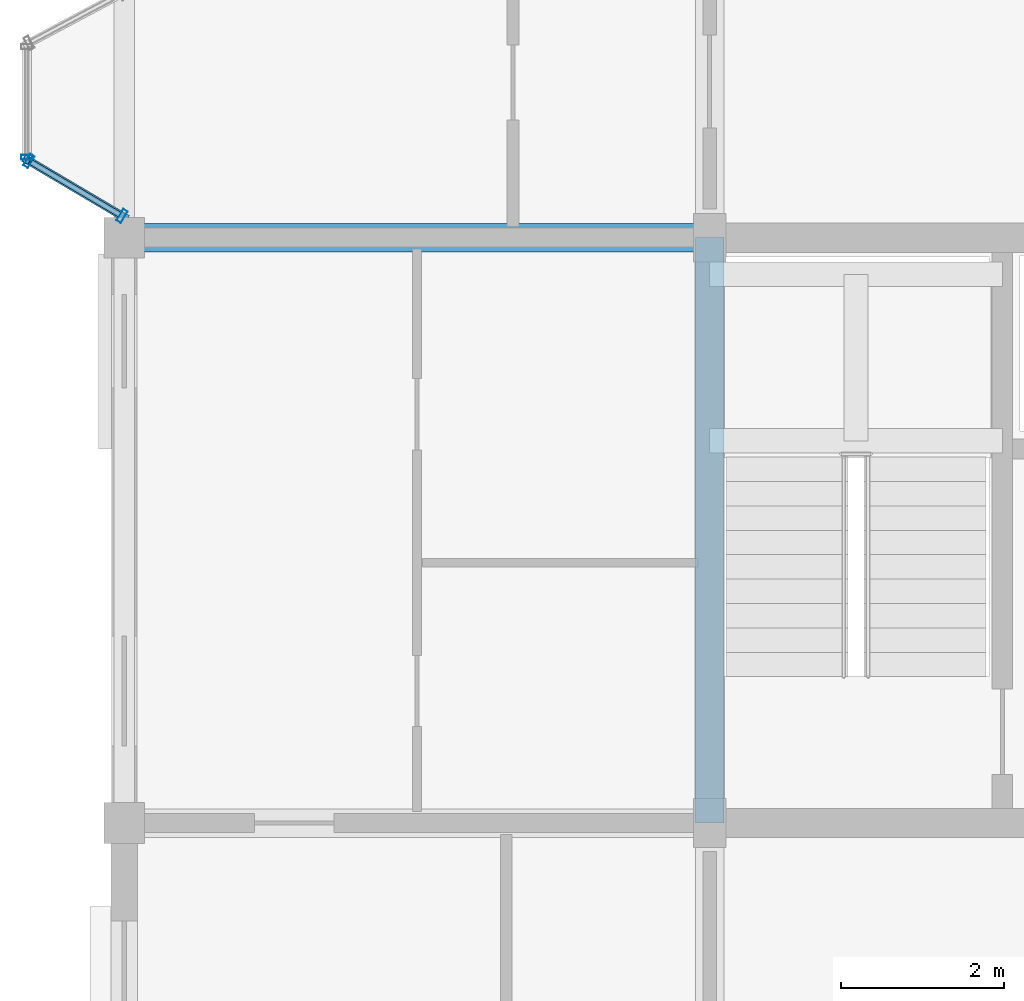
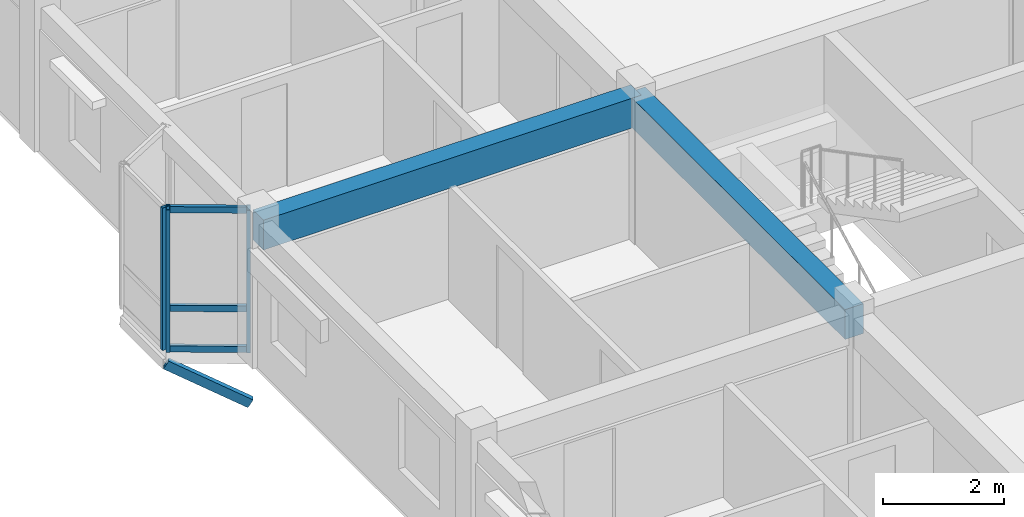
# One storey, part 5 of 70: 7 members, 2 beams, 2 elements without a shape of their own.
"""IFC4 building model written with IfcOpenShell, lengths in metres."""

from ifc_helpers import new_model, si_unit, direction, frame, origin, origin_2d, place, context, subcontext, project, spatial, rectangle, hollow_rectangle, extrude, material, layer, layer_set, material_profile, profile_set, type_object, element, aggregate, save


model = new_model("IFC4")

# Units and contexts
model_context = context("Model", 3, precision=1e-05, world=origin(), true_north=direction((0.0, 1.0)))
body_context = subcontext(model_context, "Body", "Model", "MODEL_VIEW")
ifc_project = project(units=[si_unit("LENGTHUNIT", "METRE"), si_unit("AREAUNIT", "SQUARE_METRE"), si_unit("VOLUMEUNIT", "CUBIC_METRE"), si_unit("PLANEANGLEUNIT", "RADIAN"), si_unit("MASSUNIT", "GRAM", prefix="KILO"), si_unit("THERMODYNAMICTEMPERATUREUNIT", "KELVIN"), si_unit("POWERUNIT", "WATT")], contexts=[model_context])

# Site, building, storey
site_placement = place(None, origin())
site = spatial("IfcSite", under=ifc_project, at=site_placement, CompositionType="ELEMENT")
building_placement = place(site_placement, origin())
building = spatial("IfcBuilding", under=site, at=building_placement, Name="Tavuni Mirador Residences", CompositionType="ELEMENT")
storey_placement = place(building_placement, frame((0.0, 0.0, 23.39990234375)))
storey = spatial("IfcBuildingStorey", under=building, at=storey_placement, Name="L07", CompositionType="ELEMENT", Elevation=23.39990234375)

# Beams
ifc_material_1 = material(Name="Precast concrete C40/50", Category="concrete")
ifc_material_profile_1 = material_profile(ifc_material_1, rectangle(XDim=0.35009765625, YDim=0.60009765625, at=origin_2d()), Name="PC 350x600", Category="concrete")
ifc_profile_set_1 = profile_set([ifc_material_profile_1], Name="Precast concrete C40/50")
beam_type = type_object("IfcBeamType", Name="BT-B600", PredefinedType="BEAM", material=ifc_profile_set_1)
beam_1_placement = place(storey_placement, frame((3.60009765625, 21.60009765625, 2.570068359375), z_axis=(1.0, 0.0, 0.0), x_axis=(0.0, 1.0, 0.0)))
element("IfcBeam", 1, at=beam_1_placement, inside=storey, type_object=beam_type, Name="BMX-BLK-A-L07-00-02", PredefinedType="BEAM", context=body_context, shape_type="SweptSolid", body=[
    extrude(rectangle(XDim=0.35009765625, YDim=0.60009765625, at=origin_2d()), origin(), (0.0, 0.0, 1.0), 7.199951171875),
])
beam_2_placement = place(storey_placement, frame((10.800048828125, 14.39990234375, 2.570068359375), z_axis=(0.0, 1.0, 0.0), x_axis=(-1.0, 0.0, 0.0)))
element("IfcBeam", 2, at=beam_2_placement, inside=storey, type_object=beam_type, Name="BMY-BLK-A-L07-01-01", PredefinedType="BEAM", context=body_context, shape_type="SweptSolid", body=[
    extrude(rectangle(XDim=0.35009765625, YDim=0.60009765625, at=origin_2d()), origin(), (0.0, 0.0, 1.0), 7.2001953125),
])

# Curtain wall, member
ifc_material_2 = material(Name="Anodised aluminium", Category="aluminium")
ifc_layer_1 = layer(ifc_material_2, 0.1650390625, Name="Anodised aluminium", Category="aluminium")
ifc_layer_set_1 = layer_set([ifc_layer_1], Name="Anodised aluminium")
curtain_wall_type_1 = type_object("IfcCurtainWallType", Name="CWT-MIR-A", PredefinedType="NOTDEFINED", material=ifc_layer_set_1)
curtain_wall_1_placement = place(storey_placement, origin())
curtain_wall_1 = element("IfcCurtainWall", 3, at=curtain_wall_1_placement, inside=storey, type_object=curtain_wall_type_1, Name="CW-MIR-A-W2-L07-MF", PredefinedType="NOTDEFINED")
ifc_material_profile_2 = material_profile(ifc_material_2, hollow_rectangle(XDim=0.06005859375, YDim=0.139892578125, WallThickness=0.00390625, at=origin_2d()), Name="ALU 60x140x4.0", Category="aluminium")
ifc_profile_set_2 = profile_set([ifc_material_profile_2], Name="Anodised aluminium")
member_type_1 = type_object("IfcMemberType", Name="CWM-140", PredefinedType="MULLION", material=ifc_profile_set_2)
member_1_placement = place(storey_placement, frame((2.39990234375, 22.590087890625, 0.0), z_axis=(0.0, 0.0, 1.0), x_axis=(0.0, -1.0, 0.0)))
member_1 = element("IfcMember", 4, at=member_1_placement, type_object=member_type_1, Name="CW-01 mullion 2", PredefinedType="MULLION", context=body_context, shape_type="SweptSolid", body=[
    extrude(hollow_rectangle(XDim=0.06005859375, YDim=0.139892578125, WallThickness=0.00390625, at=origin_2d()), origin(), (0.0, 0.0, 1.0), 2.8701171875),
])
aggregate(curtain_wall_1, [member_1])

# Curtain wall, members
ifc_layer_2 = layer(ifc_material_2, 0.14990234375, Name="Anodised aluminium", Category="aluminium")
ifc_layer_set_2 = layer_set([ifc_layer_2], Name="Anodised aluminium")
curtain_wall_type_2 = type_object("IfcCurtainWallType", Name="CWT-MIR-B", PredefinedType="NOTDEFINED", material=ifc_layer_set_2)
curtain_wall_2_placement = place(storey_placement, origin())
curtain_wall_2 = element("IfcCurtainWall", 5, at=curtain_wall_2_placement, inside=storey, type_object=curtain_wall_type_2, Name="CW-MIR-A-W2-L07-M2", PredefinedType="NOTDEFINED")
ifc_material_profile_3 = material_profile(ifc_material_2, hollow_rectangle(XDim=0.06494140625, YDim=0.1650390625, WallThickness=0.00439453125, at=origin_2d()), Name="ALU 65x165x4.5", Category="aluminium")
ifc_profile_set_3 = profile_set([ifc_material_profile_3], Name="Anodised aluminium")
member_type_2 = type_object("IfcMemberType", Name="CWM-165", PredefinedType="MULLION", material=ifc_profile_set_3)
member_2_placement = place(storey_placement, frame((2.427978515625, 22.54345703125, 0.0), z_axis=(0.0, 0.0, 1.0), x_axis=(0.860640830284, -0.509212491254, 0.0)))
member_2 = element("IfcMember", 6, at=member_2_placement, type_object=member_type_2, Name="CW-02 mullion 1", PredefinedType="MULLION", context=body_context, shape_type="SweptSolid", body=[
    extrude(hollow_rectangle(XDim=0.06494140625, YDim=0.1650390625, WallThickness=0.00439453125, at=origin_2d()), origin(), (0.0, 0.0, 1.0), 2.8701171875),
])
member_3_placement = place(storey_placement, frame((3.572021484375, 21.866455078125, 0.0), z_axis=(0.0, 0.0, 1.0), x_axis=(0.860640830284, -0.509212491254, 0.0)))
member_3 = element("IfcMember", 7, at=member_3_placement, type_object=member_type_2, Name="CW-02 mullion 2", PredefinedType="MULLION", context=body_context, shape_type="SweptSolid", body=[
    extrude(hollow_rectangle(XDim=0.06494140625, YDim=0.1650390625, WallThickness=0.00439453125, at=origin_2d()), origin(), (0.0, 0.0, 1.0), 2.8701171875),
])
ifc_material_profile_4 = material_profile(ifc_material_2, hollow_rectangle(XDim=0.06494140625, YDim=0.125, WallThickness=0.00439453125, at=origin_2d()), Name="ALU 65x125x4.5", Category="aluminium")
ifc_profile_set_4 = profile_set([ifc_material_profile_4], Name="Anodised aluminium")
member_type_3 = type_object("IfcMemberType", Name="CWT-125", PredefinedType="USERDEFINED", material=ifc_profile_set_4)
member_4_placement = place(storey_placement, frame((2.4560546875, 22.52685546875, 0.03271484375), z_axis=(0.86059568564, -0.509288784343, 0.0), x_axis=(0.509288784343, 0.86059568564, 0.0)))
member_4 = element("IfcMember", 8, at=member_4_placement, type_object=member_type_3, Name="CW-02 transom 1.1", ObjectType="TRANSOM", PredefinedType="USERDEFINED", context=body_context, shape_type="SweptSolid", body=[
    extrude(hollow_rectangle(XDim=0.06494140625, YDim=0.125, WallThickness=0.00439453125, at=origin_2d()), origin(), (0.0, 0.0, 1.0), 1.26416015625),
])
member_5_placement = place(storey_placement, frame((2.4560546875, 22.52685546875, 0.85009765625), z_axis=(0.86059568564, -0.509288784343, 0.0), x_axis=(0.509288784343, 0.86059568564, 0.0)))
member_5 = element("IfcMember", 9, at=member_5_placement, type_object=member_type_3, Name="CW-02 transom 1.2", ObjectType="TRANSOM", PredefinedType="USERDEFINED", context=body_context, shape_type="SweptSolid", body=[
    extrude(hollow_rectangle(XDim=0.06494140625, YDim=0.125, WallThickness=0.00439453125, at=origin_2d()), origin(), (0.0, 0.0, 1.0), 1.26416015625),
])
member_6_placement = place(storey_placement, frame((2.4560546875, 22.52685546875, 2.837646484375), z_axis=(0.86059568564, -0.509288784343, 0.0), x_axis=(0.509288784343, 0.86059568564, 0.0)))
member_6 = element("IfcMember", 10, at=member_6_placement, type_object=member_type_3, Name="CW-02 transom 1.3", ObjectType="TRANSOM", PredefinedType="USERDEFINED", context=body_context, shape_type="SweptSolid", body=[
    extrude(hollow_rectangle(XDim=0.06494140625, YDim=0.125, WallThickness=0.00439453125, at=origin_2d()), origin(), (0.0, 0.0, 1.0), 1.26416015625),
])
aggregate(curtain_wall_2, [member_2, member_3, member_4, member_5, member_6])

# Member
ifc_material_3 = material(Name="Structural steel S355", Category="steel")
ifc_material_profile_5 = material_profile(ifc_material_3, hollow_rectangle(XDim=0.10009765625, YDim=0.179931640625, WallThickness=0.008056640625, at=origin_2d()), Name="RHS 180x100x8.0", Category="steel")
ifc_profile_set_5 = profile_set([ifc_material_profile_5], Name="Structural steel S355")
member_type_4 = type_object("IfcMemberType", Name="MT-BR-RHS180", PredefinedType="BRACE", material=ifc_profile_set_5)
member_7_placement = place(storey_placement, frame((3.60009765625, 21.85009765625, -1.0498046875), z_axis=(-0.753448798133, 0.445693471312, 0.48339656414), x_axis=(-0.50913035723, -0.860689420957, 0.0)))
element("IfcMember", 11, at=member_7_placement, inside=storey, type_object=member_type_4, Name="MBRK-MIR-A-W2-L07-1", PredefinedType="BRACE", context=body_context, shape_type="SweptSolid", body=[
    extrude(hollow_rectangle(XDim=0.10009765625, YDim=0.179931640625, WallThickness=0.008056640625, at=origin_2d()), origin(), (0.0, 0.0, 1.0), 1.593017578125),
])

save(model, "model.ifc")
